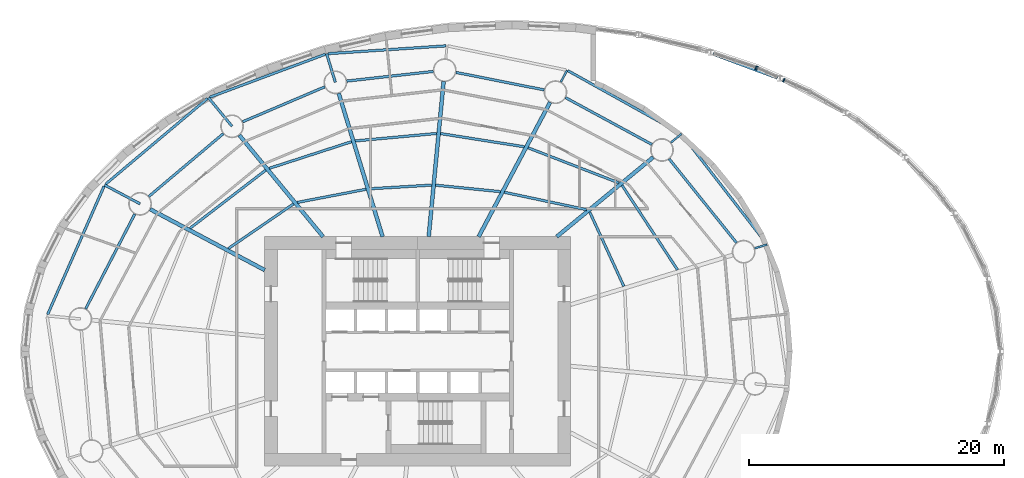
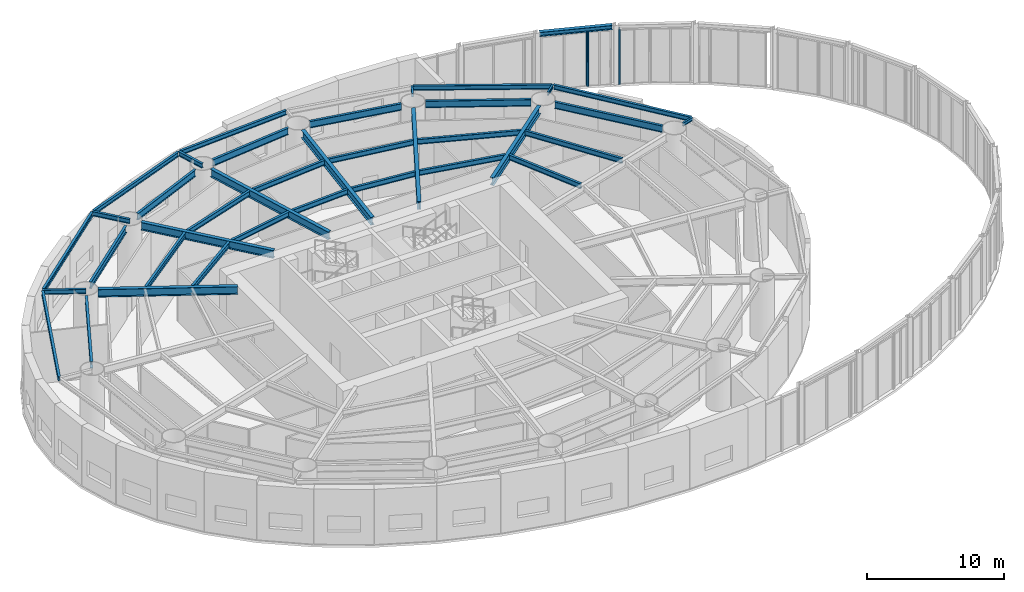
# One storey, part 6 of 19: 38 beams, 3 members, 3 elements without a shape of their own.
"""IFC4 building model written with IfcOpenShell, lengths in metres."""

import ifcopenshell
import ifcopenshell.guid

model = None  # the IFC model being written
_history = None  # IfcOwnerHistory: only IFC2X3 demands one
_inside = {}  # id of a spatial element -> (the spatial element, [elements in it])
_under = {}  # id of a project, library or spatial element -> (it, [spatial elements below it])
_declared = {}  # id of a project -> (the project, [libraries it declares])
_typed = {}  # id of a type object -> (the type object, [elements of that type])
_made_of = {}  # id of a material, layer set ... -> (it, [elements and type objects made of it])


def new_model(schema):
    """Start an empty IFC model of exactly this schema.

    Asked for "IFC4X3", IfcOpenShell would pick the latest addendum, in which some entities
    have other attributes; the version numbers below select the first issue.
    IFC2X3 requires an IfcOwnerHistory on every rooted entity: one is made here for all.
    """
    global model, _history
    if schema == "IFC4X3":
        model = ifcopenshell.file(schema_version=(4, 3, 0, 0))
    else:
        model = ifcopenshell.file(schema=schema)
    _inside.clear()
    _under.clear()
    _declared.clear()
    _typed.clear()
    _made_of.clear()
    _history = None
    if model.schema == "IFC2X3":
        org = make("IfcOrganization", Name="unknown")
        user = make(
            "IfcPersonAndOrganization",
            ThePerson=make("IfcPerson", FamilyName="unknown"),
            TheOrganization=org,
        )
        app = make(
            "IfcApplication",
            ApplicationDeveloper=org,
            Version="unknown",
            ApplicationFullName="unknown",
            ApplicationIdentifier="unknown",
        )
        _history = make(
            "IfcOwnerHistory",
            OwningUser=user,
            OwningApplication=app,
            ChangeAction="ADDED",
            CreationDate=0,
        )
    return model


def make(cls, **values):
    """One entity of the class cls with the attributes given. An attribute that is None is left unset."""
    return model.create_entity(
        cls, **{name: value for name, value in values.items() if value is not None}
    )


def rooted(cls, **values):
    """An entity with a GlobalId (a new one), such as an element, a storey or a relation."""
    return make(cls, GlobalId=ifcopenshell.guid.new(), OwnerHistory=_history, **values)


def si_unit(unit_type, name, prefix=None):
    """IfcSIUnit, for example si_unit("LENGTHUNIT", "METRE", prefix="MILLI")."""
    return make("IfcSIUnit", UnitType=unit_type, Prefix=prefix, Name=name)


def assignment(units):
    """IfcUnitAssignment: the units of a project."""
    return None if units is None else make("IfcUnitAssignment", Units=units)


def point(xyz):
    """IfcCartesianPoint."""
    return None if xyz is None else make("IfcCartesianPoint", Coordinates=xyz)


def direction(xyz):
    """IfcDirection."""
    return None if xyz is None else make("IfcDirection", DirectionRatios=xyz)


def frame(location, z_axis=None, x_axis=None):
    """IfcAxis2Placement3D, a coordinate frame: its origin and axes. An axis left out is left unset."""
    return make(
        "IfcAxis2Placement3D",
        Location=point(location),
        Axis=direction(z_axis),
        RefDirection=direction(x_axis),
    )


def frame_2d(location, x_axis=None):
    """IfcAxis2Placement2D, a coordinate frame in the plane: its origin and x axis."""
    return make(
        "IfcAxis2Placement2D", Location=point(location), RefDirection=direction(x_axis)
    )


def origin():
    """The frame at (0, 0, 0) with its axes left unset."""
    return frame((0.0, 0.0, 0.0))


def origin_2d():
    """The frame at (0, 0) in the plane with its x axis left unset."""
    return frame_2d((0.0, 0.0))


def place(relative_to, where):
    """IfcLocalPlacement: puts the frame where relative to a parent placement (None: the world)."""
    return make(
        "IfcLocalPlacement", PlacementRelTo=relative_to, RelativePlacement=where
    )


def context(
    kind, dimensions, precision=None, world=None, true_north=None, identifier=None
):
    """IfcGeometricRepresentationContext, for example the 3D "Model" context."""
    return make(
        "IfcGeometricRepresentationContext",
        ContextIdentifier=identifier,
        ContextType=kind,
        CoordinateSpaceDimension=dimensions,
        Precision=precision,
        WorldCoordinateSystem=world,
        TrueNorth=true_north,
    )


def subcontext(parent, identifier, kind, view, scale=None):
    """IfcGeometricRepresentationSubContext, for example "Body" below "Model"."""
    return make(
        "IfcGeometricRepresentationSubContext",
        ContextIdentifier=identifier,
        ContextType=kind,
        ParentContext=parent,
        TargetScale=scale,
        TargetView=view,
    )


def project(units=None, contexts=None):
    """IfcProject with its units and contexts."""
    return rooted(
        "IfcProject",
        Name="project",
        RepresentationContexts=contexts,
        UnitsInContext=assignment(units),
    )


def spatial(cls, under=None, at=None, **own):
    """A site, building, storey or space (cls), placed at a placement, below another one or the project."""
    s = rooted(cls, ObjectPlacement=at, **own)
    if under is not None:
        _under.setdefault(under.id(), (under, []))[1].append(s)
    return s


def profile(cls, at=None, kind="AREA", **sizes):
    """A parametric profile (cls). Its sizes go by their IFC names, for example OverallWidth=200.0."""
    return make(cls, ProfileType=kind, Position=at, **sizes)


def rectangle(**sizes):
    """IfcRectangleProfileDef."""
    return profile("IfcRectangleProfileDef", **sizes)


def i_section(**sizes):
    """IfcIShapeProfileDef."""
    return profile("IfcIShapeProfileDef", **sizes)


def extrude(swept, where, along, depth):
    """IfcExtrudedAreaSolid: the profile swept, set in the frame where, extruded along a direction by depth."""
    return make(
        "IfcExtrudedAreaSolid",
        SweptArea=swept,
        Position=where,
        ExtrudedDirection=direction(along),
        Depth=depth,
    )


def shape(context_of_items, identifier, shape_type, items):
    """IfcShapeRepresentation: the items that make up one representation, for example the "Body"."""
    return make(
        "IfcShapeRepresentation",
        ContextOfItems=context_of_items,
        RepresentationIdentifier=identifier,
        RepresentationType=shape_type,
        Items=items,
    )


def material(Name=None, Category=None):
    """IfcMaterial."""
    return make("IfcMaterial", Name=Name, Category=Category)


def material_profile(
    of_material, cross_section, Name=None, Category=None, Priority=None
):
    """IfcMaterialProfile: a cross section and its material."""
    return make(
        "IfcMaterialProfile",
        Name=Name,
        Material=of_material,
        Profile=cross_section,
        Priority=Priority,
        Category=Category,
    )


def profile_set(profiles, Name=None, composite=None):
    """IfcMaterialProfileSet."""
    return make(
        "IfcMaterialProfileSet",
        Name=Name,
        MaterialProfiles=profiles,
        CompositeProfile=composite,
    )


def made_of(thing, what):
    """Note that an element or type object is made of a material, layer set ...; save() writes the relation."""
    if what is not None:
        _made_of.setdefault(what.id(), (what, []))[1].append(thing)
    return thing


def type_object(cls, material=None, **own):
    """A type object (cls), such as IfcWallType, which elements share."""
    return made_of(rooted(cls, **own), material)


def element(
    cls,
    number,
    at=None,
    inside=None,
    cuts=None,
    type_object=None,
    material=None,
    context=None,
    identifier="Body",
    shape_type=None,
    held_by="IfcProductDefinitionShape",
    body=None,
    shapes=None,
    **own,
):
    """One element of the class cls, such as IfcWall. Its Tag is "e" and its number.

    at: its placement. inside: the storey or other place that contains it. cuts: it is an
    opening in that element (IfcRelVoidsElement). A single representation is given by context,
    identifier, shape_type and body (its items); several are given by shapes. held_by: the class
    of the entity that holds the representations. save() writes the other relations.
    """
    e = rooted(cls, Tag="e%d" % number, ObjectPlacement=at, **own)
    if body is not None:
        shapes = [shape(context, identifier, shape_type, body)]
    if shapes is not None:
        e.Representation = make(held_by, Representations=shapes)
    if inside is not None:
        _inside.setdefault(inside.id(), (inside, []))[1].append(e)
    if cuts is not None:
        rooted(
            "IfcRelVoidsElement", RelatingBuildingElement=cuts, RelatedOpeningElement=e
        )
    if type_object is not None:
        _typed.setdefault(type_object.id(), (type_object, []))[1].append(e)
    return made_of(e, material)


def aggregate(whole, parts):
    """IfcRelAggregates: a whole, such as a stair, and the parts it consists of."""
    return rooted("IfcRelAggregates", RelatingObject=whole, RelatedObjects=parts)


def save(model, path):
    """Write the relations noted so far, then the file.

    IfcRelAggregates (storeys below a building ...), IfcRelContainedInSpatialStructure (elements
    in a storey), IfcRelDefinesByType, IfcRelAssociatesMaterial and IfcRelDeclares: one each for
    every whole, place, type object, material and project.
    """
    for whole, parts in _under.values():
        aggregate(whole, parts)
    for where, things in _inside.values():
        rooted(
            "IfcRelContainedInSpatialStructure",
            RelatedElements=things,
            RelatingStructure=where,
        )
    for kind, things in _typed.values():
        rooted("IfcRelDefinesByType", RelatedObjects=things, RelatingType=kind)
    for what, things in _made_of.values():
        rooted("IfcRelAssociatesMaterial", RelatedObjects=things, RelatingMaterial=what)
    for by, libraries in _declared.values():
        rooted("IfcRelDeclares", RelatingContext=by, RelatedDefinitions=libraries)
    model.write(path)


model = new_model("IFC4")

# Units and contexts
model_context = context("Model", 3, precision=1e-05, world=origin(), true_north=direction((0.0, 1.0)))
body_context = subcontext(model_context, "Body", "Model", "MODEL_VIEW")
ifc_project = project(units=[si_unit("LENGTHUNIT", "METRE"), si_unit("AREAUNIT", "SQUARE_METRE"), si_unit("VOLUMEUNIT", "CUBIC_METRE"), si_unit("PLANEANGLEUNIT", "RADIAN"), si_unit("MASSUNIT", "GRAM", prefix="KILO")], contexts=[model_context])

# Site, building, storey
site_placement = place(None, origin())
site = spatial("IfcSite", under=ifc_project, at=site_placement, CompositionType="ELEMENT")
building_placement = place(site_placement, origin())
building = spatial("IfcBuilding", under=site, at=building_placement, Name="Vermilion Reach Broadcast Tower", CompositionType="ELEMENT")
storey_placement = place(building_placement, frame((0.0, 0.0, 26.0)))
storey = spatial("IfcBuildingStorey", under=building, at=storey_placement, Name="L03", CompositionType="ELEMENT", Elevation=26.0)

# Curtain wall, member
ifc_material_1 = material(Name="Low-e laminated clear glass in aluminium frame", Category="aluminium")
curtain_wall_type = type_object("IfcCurtainWallType", Name="Atrium outer wall curtain wall", PredefinedType="NOTDEFINED", material=ifc_material_1)
placement = place(storey_placement, origin())
curtain_wall_1 = element("IfcCurtainWall", 1, at=placement, inside=storey, type_object=curtain_wall_type, Name="Atrium wall L03 19-1", PredefinedType="NOTDEFINED")
ifc_material_2 = material(Name="Anodised aluminium", Category="aluminium")
ifc_material_profile_1 = material_profile(ifc_material_2, rectangle(XDim=0.300048828125, YDim=0.10009765625, at=origin_2d()), Name="Atrium outer wall mullion 100 x 300")
ifc_profile_set_1 = profile_set([ifc_material_profile_1], Name="Anodised aluminium")
member_type = type_object("IfcMemberType", Name="Atrium outer wall mullion 100 x 300", PredefinedType="MULLION", material=ifc_profile_set_1)
member_1_placement = place(storey_placement, frame((22.726806640625, 21.276123046875, 0.0), z_axis=(0.0, 0.0, 1.0), x_axis=(-0.410407876277, -0.911902064418, 0.0)))
member_1 = element("IfcMember", 2, at=member_1_placement, type_object=member_type, Name="Atrium wall mullion L03 19-1.3", PredefinedType="MULLION", context=body_context, shape_type="SweptSolid", body=[
    extrude(rectangle(XDim=0.300048828125, YDim=0.10009765625, at=origin_2d()), origin(), (0.0, 0.0, 1.0), 4.909912109375),
])
aggregate(curtain_wall_1, [member_1])

curtain_wall_2 = element("IfcCurtainWall", 3, at=placement, inside=storey, type_object=curtain_wall_type, Name="Atrium wall L03 19-2", PredefinedType="NOTDEFINED")
member_2_placement = place(storey_placement, frame((20.636962890625, 22.216552734375, 0.0), z_axis=(0.0, 0.0, 1.0), x_axis=(-0.410407876277, -0.911902064418, 0.0)))
member_2 = element("IfcMember", 4, at=member_2_placement, type_object=member_type, Name="Atrium wall mullion L03 19-2.3", PredefinedType="MULLION", context=body_context, shape_type="SweptSolid", body=[
    extrude(rectangle(XDim=0.300048828125, YDim=0.10009765625, at=origin_2d()), origin(), (0.0, 0.0, 1.0), 4.909912109375),
])
aggregate(curtain_wall_2, [member_2])

curtain_wall_3 = element("IfcCurtainWall", 5, at=placement, inside=storey, type_object=curtain_wall_type, Name="Atrium wall L03 20-1", PredefinedType="NOTDEFINED")
member_3_placement = place(storey_placement, frame((20.5439453125, 22.2529296875, 0.0), z_axis=(0.0, 0.0, 1.0), x_axis=(-0.315228098746, -0.949015935462, 0.0)))
member_3 = element("IfcMember", 6, at=member_3_placement, type_object=member_type, Name="Atrium wall mullion L03 20-1.1", PredefinedType="MULLION", context=body_context, shape_type="SweptSolid", body=[
    extrude(rectangle(XDim=0.300048828125, YDim=0.10009765625, at=origin_2d()), origin(), (0.0, 0.0, 1.0), 4.909912109375),
])
aggregate(curtain_wall_3, [member_3])

# Beams
ifc_material_3 = material(Name="Steel S355J2", Category="steel")
ifc_material_profile_2 = material_profile(ifc_material_3, i_section(OverallWidth=0.199951171875, OverallDepth=0.39990234375, WebThickness=0.008056640625, FlangeThickness=0.012939453125, at=origin_2d()), Name="S355J2 HN 400x200x8x13")
ifc_profile_set_2 = profile_set([ifc_material_profile_2], Name="Steel S355J2")
beam_type_1 = type_object("IfcBeamType", Name="EB1 HN 400x200x8x13", PredefinedType="BEAM", material=ifc_profile_set_2)
beam_1_placement = place(storey_placement, frame((21.365234375, 8.449951171875, 5.10009765625), z_axis=(-0.612374307057, 0.790567965488, 0.0), x_axis=(-0.790567965488, -0.612374307057, 0.0)))
element("IfcBeam", 7, at=beam_1_placement, inside=storey, type_object=beam_type_1, Name="Edge beam EB1-01", PredefinedType="BEAM", context=body_context, shape_type="SweptSolid", body=[
    extrude(i_section(OverallWidth=0.199951171875, OverallDepth=0.39990234375, WebThickness=0.008056640625, FlangeThickness=0.012939453125, at=origin_2d()), origin(), (0.0, 0.0, 1.0), 10.821044921875),
])
beam_2_placement = place(storey_placement, frame((14.62255859375, 17.10302734375, 5.10009765625), z_axis=(-0.873686455295, 0.486489442674, 0.0), x_axis=(-0.486489442674, -0.873686455295, 0.0)))
element("IfcBeam", 8, at=beam_2_placement, inside=storey, type_object=beam_type_1, Name="Edge beam EB1-02", PredefinedType="BEAM", context=body_context, shape_type="SweptSolid", body=[
    extrude(i_section(OverallWidth=0.199951171875, OverallDepth=0.39990234375, WebThickness=0.008056640625, FlangeThickness=0.012939453125, at=origin_2d()), origin(), (0.0, 0.0, 1.0), 10.110595703125),
])
beam_3_placement = place(storey_placement, frame((-3.771484375, 23.97119140625, 5.10009765625), z_axis=(-0.997825669163, -0.065908527213, 0.0), x_axis=(0.065908527213, -0.997825669163, 0.0)))
element("IfcBeam", 9, at=beam_3_placement, inside=storey, type_object=beam_type_1, Name="Edge beam EB1-04", PredefinedType="BEAM", context=body_context, shape_type="SweptSolid", body=[
    extrude(i_section(OverallWidth=0.199951171875, OverallDepth=0.39990234375, WebThickness=0.008056640625, FlangeThickness=0.012939453125, at=origin_2d()), origin(), (0.0, 0.0, 1.0), 9.290283203125),
])
beam_4_placement = place(storey_placement, frame((-13.23779296875, 23.3173828125, 5.10009765625), z_axis=(-0.9372716621, -0.348599815582, 0.0), x_axis=(0.348599815582, -0.9372716621, 0.0)))
element("IfcBeam", 10, at=beam_4_placement, inside=storey, type_object=beam_type_1, Name="Edge beam EB1-05", PredefinedType="BEAM", context=body_context, shape_type="SweptSolid", body=[
    extrude(i_section(OverallWidth=0.199951171875, OverallDepth=0.39990234375, WebThickness=0.008056640625, FlangeThickness=0.012939453125, at=origin_2d()), origin(), (0.0, 0.0, 1.0), 9.684326171875),
])
beam_5_placement = place(storey_placement, frame((-22.490478515625, 19.840087890625, 5.10009765625), z_axis=(-0.765453208317, -0.643491558513, 0.0), x_axis=(0.643491558513, -0.765453208317, 0.0)))
element("IfcBeam", 11, at=beam_5_placement, inside=storey, type_object=beam_type_1, Name="Edge beam EB1-06", PredefinedType="BEAM", context=body_context, shape_type="SweptSolid", body=[
    extrude(i_section(OverallWidth=0.199951171875, OverallDepth=0.39990234375, WebThickness=0.008056640625, FlangeThickness=0.012939453125, at=origin_2d()), origin(), (0.0, 0.0, 1.0), 10.437255859375),
])
beam_6_placement = place(storey_placement, frame((-30.6025390625, 12.962646484375, 5.10009765625), z_axis=(-0.402751254677, -0.915309470538, 0.0), x_axis=(0.915309470538, -0.402751254677, 0.0)))
element("IfcBeam", 12, at=beam_6_placement, inside=storey, type_object=beam_type_1, Name="Edge beam EB1-07", PredefinedType="BEAM", context=body_context, shape_type="SweptSolid", body=[
    extrude(i_section(OverallWidth=0.199951171875, OverallDepth=0.39990234375, WebThickness=0.008056640625, FlangeThickness=0.012939453125, at=origin_2d()), origin(), (0.0, 0.0, 1.0), 11.00341796875),
])
ifc_material_4 = material(Name="Steel S355J2", Category="steel")
ifc_material_profile_3 = material_profile(ifc_material_4, i_section(OverallWidth=0.300048828125, OverallDepth=0.699951171875, WebThickness=0.012939453125, FlangeThickness=0.02392578125, at=origin_2d()), Name="S355J2 HN 700x300x13x24")
ifc_profile_set_3 = profile_set([ifc_material_profile_3], Name="Steel S355J2")
beam_type_2 = type_object("IfcBeamType", Name="G1 HN 700x300x13x24", PredefinedType="BEAM", material=ifc_profile_set_3)
beam_7_placement = place(storey_placement, frame((4.9140625, 9.0, 4.949951171875), z_axis=(0.771514256373, 0.636212034005, 0.0), x_axis=(-0.636212034005, 0.771514256373, 0.0)))
element("IfcBeam", 13, at=beam_7_placement, inside=storey, type_object=beam_type_2, Name="Girder G1-02", PredefinedType="BEAM", context=body_context, shape_type="SweptSolid", body=[
    extrude(i_section(OverallWidth=0.300048828125, OverallDepth=0.699951171875, WebThickness=0.012939453125, FlangeThickness=0.02392578125, at=origin_2d()), origin(), (0.0, 0.0, 1.0), 9.796142578125),
])
beam_8_placement = place(storey_placement, frame((-1.216552734375, 9.0, 4.949951171875), z_axis=(0.469312182262, 0.883032318537, 0.0), x_axis=(-0.883032318537, 0.469312182262, 0.0)))
element("IfcBeam", 14, at=beam_8_placement, inside=storey, type_object=beam_type_2, Name="Girder G1-03", PredefinedType="BEAM", context=body_context, shape_type="SweptSolid", body=[
    extrude(i_section(OverallWidth=0.300048828125, OverallDepth=0.699951171875, WebThickness=0.012939453125, FlangeThickness=0.02392578125, at=origin_2d()), origin(), (0.0, 0.0, 1.0), 11.94091796875),
])
beam_9_placement = place(storey_placement, frame((-5.135009765625, 9.0, 4.949951171875), z_axis=(0.09566673912, 0.995413419151, 0.0), x_axis=(-0.995413419151, 0.09566673912, 0.0)))
element("IfcBeam", 15, at=beam_9_placement, inside=storey, type_object=beam_type_2, Name="Girder G1-04", PredefinedType="BEAM", context=body_context, shape_type="SweptSolid", body=[
    extrude(i_section(OverallWidth=0.300048828125, OverallDepth=0.699951171875, WebThickness=0.012939453125, FlangeThickness=0.02392578125, at=origin_2d()), origin(), (0.0, 0.0, 1.0), 12.22412109375),
])
beam_10_placement = place(storey_placement, frame((-8.753173828125, 9.0, 4.949951171875), z_axis=(-0.292542302886, 0.95625258223, 0.0), x_axis=(-0.95625258223, -0.292542302886, 0.0)))
element("IfcBeam", 16, at=beam_10_placement, inside=storey, type_object=beam_type_2, Name="Girder G1-05", PredefinedType="BEAM", context=body_context, shape_type="SweptSolid", body=[
    extrude(i_section(OverallWidth=0.300048828125, OverallDepth=0.699951171875, WebThickness=0.012939453125, FlangeThickness=0.02392578125, at=origin_2d()), origin(), (0.0, 0.0, 1.0), 11.76220703125),
])
beam_11_placement = place(storey_placement, frame((-13.421630859375, 9.0, 4.949951171875), z_axis=(-0.636215165107, 0.77151167437, 0.0), x_axis=(-0.77151167437, -0.636215165107, 0.0)))
element("IfcBeam", 17, at=beam_11_placement, inside=storey, type_object=beam_type_2, Name="Girder G1-06", PredefinedType="BEAM", context=body_context, shape_type="SweptSolid", body=[
    extrude(i_section(OverallWidth=0.300048828125, OverallDepth=0.699951171875, WebThickness=0.012939453125, FlangeThickness=0.02392578125, at=origin_2d()), origin(), (0.0, 0.0, 1.0), 10.3251953125),
])
beam_12_placement = place(storey_placement, frame((-18.0, 6.3779296875, 4.949951171875), z_axis=(-0.883032139419, 0.469312519279, 0.0), x_axis=(-0.469312519279, -0.883032139419, 0.0)))
element("IfcBeam", 18, at=beam_12_placement, inside=storey, type_object=beam_type_2, Name="Girder G1-07", PredefinedType="BEAM", context=body_context, shape_type="SweptSolid", body=[
    extrude(i_section(OverallWidth=0.300048828125, OverallDepth=0.699951171875, WebThickness=0.012939453125, FlangeThickness=0.02392578125, at=origin_2d()), origin(), (0.0, 0.0, 1.0), 10.17529296875),
])
ifc_material_5 = material(Name="Steel S355J2", Category="steel")
ifc_material_profile_4 = material_profile(ifc_material_5, i_section(OverallWidth=0.199951171875, OverallDepth=0.39990234375, WebThickness=0.008056640625, FlangeThickness=0.012939453125, at=origin_2d()), Name="S355J2 HN 400x200x8x13")
ifc_profile_set_4 = profile_set([ifc_material_profile_4], Name="Steel S355J2")
beam_type_3 = type_object("IfcBeamType", Name="GC1 HN 400x200x8x13", PredefinedType="BEAM", material=ifc_profile_set_4)
beam_13_placement = place(storey_placement, frame((-12.45751953125, 21.108154296875, 5.10009765625), z_axis=(-0.292535678809, 0.956254608681, 0.0), x_axis=(-0.956254608681, -0.292535678809, 0.0)))
element("IfcBeam", 19, at=beam_13_placement, inside=storey, type_object=beam_type_3, Name="Cantilever girder GC1-05", PredefinedType="BEAM", context=body_context, shape_type="SweptSolid", body=[
    extrude(i_section(OverallWidth=0.199951171875, OverallDepth=0.39990234375, WebThickness=0.008056640625, FlangeThickness=0.012939453125, at=origin_2d()), origin(), (0.0, 0.0, 1.0), 2.346923828125),
])
beam_14_placement = place(storey_placement, frame((-20.563232421875, 17.660400390625, 5.10009765625), z_axis=(-0.636213137876, 0.771513346089, 0.0), x_axis=(-0.771513346089, -0.636213137876, 0.0)))
element("IfcBeam", 20, at=beam_14_placement, inside=storey, type_object=beam_type_3, Name="Cantilever girder GC1-06", PredefinedType="BEAM", context=body_context, shape_type="SweptSolid", body=[
    extrude(i_section(OverallWidth=0.199951171875, OverallDepth=0.39990234375, WebThickness=0.008056640625, FlangeThickness=0.012939453125, at=origin_2d()), origin(), (0.0, 0.0, 1.0), 2.90869140625),
])
beam_15_placement = place(storey_placement, frame((-27.77978515625, 11.57568359375, 5.10009765625), z_axis=(-0.8830404704, 0.469296843837, 0.0), x_axis=(-0.469296843837, -0.8830404704, 0.0)))
element("IfcBeam", 21, at=beam_15_placement, inside=storey, type_object=beam_type_3, Name="Cantilever girder GC1-07", PredefinedType="BEAM", context=body_context, shape_type="SweptSolid", body=[
    extrude(i_section(OverallWidth=0.199951171875, OverallDepth=0.39990234375, WebThickness=0.008056640625, FlangeThickness=0.012939453125, at=origin_2d()), origin(), (0.0, 0.0, 1.0), 3.151123046875),
])
ifc_material_6 = material(Name="Steel S355J2", Category="steel")
ifc_material_profile_5 = material_profile(ifc_material_6, i_section(OverallWidth=0.14990234375, OverallDepth=0.300048828125, WebThickness=0.006591796875, FlangeThickness=0.009033203125, at=origin_2d()), Name="S355J2 HN 300x150x6.5x9")
ifc_profile_set_5 = profile_set([ifc_material_profile_5], Name="Steel S355J2")
beam_type_4 = type_object("IfcBeamType", Name="GS1 HN 300x150x6.5x9", PredefinedType="BEAM", material=ifc_profile_set_5)
beam_16_placement = place(storey_placement, frame((20.43603515625, 8.08740234375, 5.14990234375), z_axis=(0.956262624381, 0.292509475422, 0.0), x_axis=(-0.292509475422, 0.956262624381, 0.0)))
element("IfcBeam", 22, at=beam_16_placement, inside=storey, type_object=beam_type_4, Name="Cantilever stub GS1-01", PredefinedType="BEAM", context=body_context, shape_type="SweptSolid", body=[
    extrude(i_section(OverallWidth=0.14990234375, OverallDepth=0.300048828125, WebThickness=0.006591796875, FlangeThickness=0.009033203125, at=origin_2d()), origin(), (0.0, 0.0, 1.0), 1.023193359375),
])
beam_17_placement = place(storey_placement, frame((13.860595703125, 16.377685546875, 5.14990234375), z_axis=(0.771531570629, 0.636191036972, 0.0), x_axis=(-0.636191036972, 0.771531570629, 0.0)))
element("IfcBeam", 23, at=beam_17_placement, inside=storey, type_object=beam_type_4, Name="Cantilever stub GS1-02", PredefinedType="BEAM", context=body_context, shape_type="SweptSolid", body=[
    extrude(i_section(OverallWidth=0.14990234375, OverallDepth=0.300048828125, WebThickness=0.006591796875, FlangeThickness=0.009033203125, at=origin_2d()), origin(), (0.0, 0.0, 1.0), 1.07861328125),
])
beam_18_placement = place(storey_placement, frame((5.232177734375, 21.1337890625, 5.14990234375), z_axis=(0.469462125124, 0.882952610888, 0.0), x_axis=(-0.882952610888, 0.469462125124, 0.0)))
element("IfcBeam", 24, at=beam_18_placement, inside=storey, type_object=beam_type_4, Name="Cantilever stub GS1-03", PredefinedType="BEAM", context=body_context, shape_type="SweptSolid", body=[
    extrude(i_section(OverallWidth=0.14990234375, OverallDepth=0.300048828125, WebThickness=0.006591796875, FlangeThickness=0.009033203125, at=origin_2d()), origin(), (0.0, 0.0, 1.0), 1.046875),
])
ifc_material_7 = material(Name="Steel S355J2", Category="steel")
ifc_material_profile_6 = material_profile(ifc_material_7, i_section(OverallWidth=0.199951171875, OverallDepth=0.60009765625, WebThickness=0.010986328125, FlangeThickness=0.01708984375, at=origin_2d()), Name="S355J2 HN 600x200x11x17")
ifc_profile_set_6 = profile_set([ifc_material_profile_6], Name="Steel S355J2")
beam_type_5 = type_object("IfcBeamType", Name="RB1 HN 600x200x11x17", PredefinedType="BEAM", material=ifc_profile_set_6)
beam_19_placement = place(storey_placement, frame((19.011962890625, 8.52587890625, 5.0), z_axis=(-0.626162157191, 0.779692858055, 0.0), x_axis=(-0.779692858055, -0.626162157191, 0.0)))
element("IfcBeam", 25, at=beam_19_placement, inside=storey, type_object=beam_type_5, Name="Ring beam RB1-01", PredefinedType="BEAM", context=body_context, shape_type="SweptSolid", body=[
    extrude(i_section(OverallWidth=0.199951171875, OverallDepth=0.60009765625, WebThickness=0.010986328125, FlangeThickness=0.01708984375, at=origin_2d()), origin(), (0.0, 0.0, 1.0), 8.435791015625),
])
beam_20_placement = place(storey_placement, frame((12.375244140625, 16.234130859375, 5.0), z_axis=(-0.878962319551, 0.476891225344, 0.0), x_axis=(-0.476891225344, -0.878962319551, 0.0)))
element("IfcBeam", 26, at=beam_20_placement, inside=storey, type_object=beam_type_5, Name="Ring beam RB1-02", PredefinedType="BEAM", context=body_context, shape_type="SweptSolid", body=[
    extrude(i_section(OverallWidth=0.199951171875, OverallDepth=0.60009765625, WebThickness=0.010986328125, FlangeThickness=0.01708984375, at=origin_2d()), origin(), (0.0, 0.0, 1.0), 7.707275390625),
])
beam_21_placement = place(storey_placement, frame((3.927001953125, 20.51416015625, 5.0), z_axis=(-0.980857717995, 0.194725799651, 0.0), x_axis=(-0.194725799651, -0.980857717995, 0.0)))
element("IfcBeam", 27, at=beam_21_placement, inside=storey, type_object=beam_type_5, Name="Ring beam RB1-03", PredefinedType="BEAM", context=body_context, shape_type="SweptSolid", body=[
    extrude(i_section(OverallWidth=0.199951171875, OverallDepth=0.60009765625, WebThickness=0.010986328125, FlangeThickness=0.01708984375, at=origin_2d()), origin(), (0.0, 0.0, 1.0), 7.05859375),
])
beam_22_placement = place(storey_placement, frame((-4.77392578125, 21.964111328125, 5.0), z_axis=(-0.993851439324, -0.110721798009, 0.0), x_axis=(0.110721798009, -0.993851439324, 0.0)))
element("IfcBeam", 28, at=beam_22_placement, inside=storey, type_object=beam_type_5, Name="Ring beam RB1-04", PredefinedType="BEAM", context=body_context, shape_type="SweptSolid", body=[
    extrude(i_section(OverallWidth=0.199951171875, OverallDepth=0.60009765625, WebThickness=0.010986328125, FlangeThickness=0.01708984375, at=origin_2d()), origin(), (0.0, 0.0, 1.0), 6.8310546875),
])
beam_23_placement = place(storey_placement, frame((-13.28564453125, 20.755859375, 5.0), z_axis=(-0.920220846584, -0.391399531825, 0.0), x_axis=(0.391399531825, -0.920220846584, 0.0)))
element("IfcBeam", 29, at=beam_23_placement, inside=storey, type_object=beam_type_5, Name="Ring beam RB1-05", PredefinedType="BEAM", context=body_context, shape_type="SweptSolid", body=[
    extrude(i_section(OverallWidth=0.199951171875, OverallDepth=0.60009765625, WebThickness=0.010986328125, FlangeThickness=0.01708984375, at=origin_2d()), origin(), (0.0, 0.0, 1.0), 7.008544921875),
])
beam_24_placement = place(storey_placement, frame((-21.251220703125, 17.080322265625, 5.0), z_axis=(-0.764512441084, -0.6446089725, 0.0), x_axis=(0.6446089725, -0.764512441084, 0.0)))
element("IfcBeam", 30, at=beam_24_placement, inside=storey, type_object=beam_type_5, Name="Ring beam RB1-06", PredefinedType="BEAM", context=body_context, shape_type="SweptSolid", body=[
    extrude(i_section(OverallWidth=0.199951171875, OverallDepth=0.60009765625, WebThickness=0.010986328125, FlangeThickness=0.01708984375, at=origin_2d()), origin(), (0.0, 0.0, 1.0), 7.6396484375),
])
beam_25_placement = place(storey_placement, frame((-28.194091796875, 10.776611328125, 5.0), z_axis=(-0.460411617218, -0.887705549566, 0.0), x_axis=(0.887705549566, -0.460411617218, 0.0)))
element("IfcBeam", 31, at=beam_25_placement, inside=storey, type_object=beam_type_5, Name="Ring beam RB1-07", PredefinedType="BEAM", context=body_context, shape_type="SweptSolid", body=[
    extrude(i_section(OverallWidth=0.199951171875, OverallDepth=0.60009765625, WebThickness=0.010986328125, FlangeThickness=0.01708984375, at=origin_2d()), origin(), (0.0, 0.0, 1.0), 8.37451171875),
])
ifc_material_8 = material(Name="Steel S355J2", Category="steel")
ifc_material_profile_7 = material_profile(ifc_material_8, i_section(OverallWidth=0.300048828125, OverallDepth=0.389892578125, WebThickness=0.010009765625, FlangeThickness=0.01611328125, at=origin_2d()), Name="S355J2 HM 390x300x10x16")
ifc_profile_set_7 = profile_set([ifc_material_profile_7], Name="Steel S355J2")
beam_type_6 = type_object("IfcBeamType", Name="RM1 HM 390x300x10x16", PredefinedType="BEAM", material=ifc_profile_set_7)
beam_26_placement = place(storey_placement, frame((22.22509765625, 21.485595703125, 5.10498046875), z_axis=(-0.937250522131, 0.348656648818, 0.0), x_axis=(-0.348656648818, -0.937250522131, 0.0)))
element("IfcBeam", 32, at=beam_26_placement, inside=storey, type_object=beam_type_6, Name="Rim beam AP13-AP14", PredefinedType="BEAM", context=body_context, shape_type="SweptSolid", body=[
    extrude(i_section(OverallWidth=0.300048828125, OverallDepth=0.389892578125, WebThickness=0.010009765625, FlangeThickness=0.01611328125, at=origin_2d()), origin(), (0.0, 0.0, 1.0), 5.37158203125),
])
ifc_material_9 = material(Name="Steel S355J2", Category="steel")
ifc_material_profile_8 = material_profile(ifc_material_9, i_section(OverallWidth=0.199951171875, OverallDepth=0.449951171875, WebThickness=0.009033203125, FlangeThickness=0.013916015625, at=origin_2d()), Name="S355J2 HN 450x200x9x14")
ifc_profile_set_8 = profile_set([ifc_material_profile_8], Name="Steel S355J2")
beam_type_7 = type_object("IfcBeamType", Name="SB1 HN 450x200x9x14", PredefinedType="BEAM", material=ifc_profile_set_8)
beam_27_placement = place(storey_placement, frame((10.175048828125, 5.105224609375, 5.074951171875), z_axis=(-0.417211452529, 0.908809443106, 0.0), x_axis=(-0.908809443106, -0.417211452529, 0.0)))
element("IfcBeam", 33, at=beam_27_placement, inside=storey, type_object=beam_type_7, Name="Secondary beam SB1-01-1", PredefinedType="BEAM", context=body_context, shape_type="SweptSolid", body=[
    extrude(i_section(OverallWidth=0.199951171875, OverallDepth=0.449951171875, WebThickness=0.009033203125, FlangeThickness=0.013916015625, at=origin_2d()), origin(), (0.0, 0.0, 1.0), 6.41650390625),
])
beam_28_placement = place(storey_placement, frame((14.390625, 6.394775390625, 5.074951171875), z_axis=(-0.548800909102, 0.835953086105, 0.0), x_axis=(-0.835953086105, -0.548800909102, 0.0)))
element("IfcBeam", 34, at=beam_28_placement, inside=storey, type_object=beam_type_7, Name="Secondary beam SB1-01-2", PredefinedType="BEAM", context=body_context, shape_type="SweptSolid", body=[
    extrude(i_section(OverallWidth=0.199951171875, OverallDepth=0.449951171875, WebThickness=0.009033203125, FlangeThickness=0.013916015625, at=origin_2d()), origin(), (0.0, 0.0, 1.0), 7.935791015625),
])
beam_29_placement = place(storey_placement, frame((7.24560546875, 11.1171875, 5.074951171875), z_axis=(-0.978270372412, 0.207333254596, 0.0), x_axis=(-0.207333254596, -0.978270372412, 0.0)))
element("IfcBeam", 35, at=beam_29_placement, inside=storey, type_object=beam_type_7, Name="Secondary beam SB1-02-1", PredefinedType="BEAM", context=body_context, shape_type="SweptSolid", body=[
    extrude(i_section(OverallWidth=0.199951171875, OverallDepth=0.449951171875, WebThickness=0.009033203125, FlangeThickness=0.013916015625, at=origin_2d()), origin(), (0.0, 0.0, 1.0), 6.584716796875),
])
beam_30_placement = place(storey_placement, frame((9.7919921875, 13.217041015625, 5.074951171875), z_axis=(-0.932680743753, 0.360702966765, 0.0), x_axis=(-0.360702966765, -0.932680743753, 0.0)))
element("IfcBeam", 36, at=beam_30_placement, inside=storey, type_object=beam_type_7, Name="Secondary beam SB1-02-2", PredefinedType="BEAM", context=body_context, shape_type="SweptSolid", body=[
    extrude(i_section(OverallWidth=0.199951171875, OverallDepth=0.449951171875, WebThickness=0.009033203125, FlangeThickness=0.013916015625, at=origin_2d()), origin(), (0.0, 0.0, 1.0), 7.646240234375),
])
beam_31_placement = place(storey_placement, frame((0.490234375, 12.531005859375, 5.074951171875), z_axis=(-0.995010199331, 0.099773259079, 0.0), x_axis=(-0.099773259079, -0.995010199331, 0.0)))
element("IfcBeam", 37, at=beam_31_placement, inside=storey, type_object=beam_type_7, Name="Secondary beam SB1-03-1", PredefinedType="BEAM", context=body_context, shape_type="SweptSolid", body=[
    extrude(i_section(OverallWidth=0.199951171875, OverallDepth=0.449951171875, WebThickness=0.009033203125, FlangeThickness=0.013916015625, at=origin_2d()), origin(), (0.0, 0.0, 1.0), 5.111572265625),
])
beam_32_placement = place(storey_placement, frame((2.36279296875, 16.05419921875, 5.074951171875), z_axis=(-0.987829548379, 0.155540294938, 0.0), x_axis=(-0.155540294938, -0.987829548379, 0.0)))
element("IfcBeam", 38, at=beam_32_placement, inside=storey, type_object=beam_type_7, Name="Secondary beam SB1-03-2", PredefinedType="BEAM", context=body_context, shape_type="SweptSolid", body=[
    extrude(i_section(OverallWidth=0.199951171875, OverallDepth=0.449951171875, WebThickness=0.009033203125, FlangeThickness=0.013916015625, at=origin_2d()), origin(), (0.0, 0.0, 1.0), 6.650634765625),
])
beam_33_placement = place(storey_placement, frame((-4.896728515625, 13.046875, 5.074951171875), z_axis=(-0.99823410974, -0.059402543307, 0.0), x_axis=(0.059402543307, -0.99823410974, 0.0)))
element("IfcBeam", 39, at=beam_33_placement, inside=storey, type_object=beam_type_7, Name="Secondary beam SB1-04-1", PredefinedType="BEAM", context=body_context, shape_type="SweptSolid", body=[
    extrude(i_section(OverallWidth=0.199951171875, OverallDepth=0.449951171875, WebThickness=0.009033203125, FlangeThickness=0.013916015625, at=origin_2d()), origin(), (0.0, 0.0, 1.0), 4.85791015625),
])
beam_34_placement = place(storey_placement, frame((-4.50732421875, 17.09814453125, 5.074951171875), z_axis=(-0.995818616382, -0.091352521952, 0.0), x_axis=(0.091352521952, -0.995818616382, 0.0)))
element("IfcBeam", 40, at=beam_34_placement, inside=storey, type_object=beam_type_7, Name="Secondary beam SB1-04-2", PredefinedType="BEAM", context=body_context, shape_type="SweptSolid", body=[
    extrude(i_section(OverallWidth=0.199951171875, OverallDepth=0.449951171875, WebThickness=0.009033203125, FlangeThickness=0.013916015625, at=origin_2d()), origin(), (0.0, 0.0, 1.0), 6.4140625),
])
beam_35_placement = place(storey_placement, frame((-10.04833984375, 12.720703125, 5.074951171875), z_axis=(-0.982151348822, -0.188092339045, 0.0), x_axis=(0.188092339045, -0.982151348822, 0.0)))
element("IfcBeam", 41, at=beam_35_placement, inside=storey, type_object=beam_type_7, Name="Secondary beam SB1-05-1", PredefinedType="BEAM", context=body_context, shape_type="SweptSolid", body=[
    extrude(i_section(OverallWidth=0.199951171875, OverallDepth=0.449951171875, WebThickness=0.009033203125, FlangeThickness=0.013916015625, at=origin_2d()), origin(), (0.0, 0.0, 1.0), 5.4931640625),
])
beam_36_placement = place(storey_placement, frame((-11.18994140625, 16.4521484375, 5.074951171875), z_axis=(-0.951332300844, -0.308166924523, 0.0), x_axis=(0.308166924523, -0.951332300844, 0.0)))
element("IfcBeam", 42, at=beam_36_placement, inside=storey, type_object=beam_type_7, Name="Secondary beam SB1-05-2", PredefinedType="BEAM", context=body_context, shape_type="SweptSolid", body=[
    extrude(i_section(OverallWidth=0.199951171875, OverallDepth=0.449951171875, WebThickness=0.009033203125, FlangeThickness=0.013916015625, at=origin_2d()), origin(), (0.0, 0.0, 1.0), 6.787841796875),
])
beam_37_placement = place(storey_placement, frame((-15.735595703125, 11.5703125, 5.074951171875), z_axis=(-0.825140253447, -0.564927926502, 0.0), x_axis=(0.564927926502, -0.825140253447, 0.0)))
element("IfcBeam", 43, at=beam_37_placement, inside=storey, type_object=beam_type_7, Name="Secondary beam SB1-06-1", PredefinedType="BEAM", context=body_context, shape_type="SweptSolid", body=[
    extrude(i_section(OverallWidth=0.199951171875, OverallDepth=0.449951171875, WebThickness=0.009033203125, FlangeThickness=0.013916015625, at=origin_2d()), origin(), (0.0, 0.0, 1.0), 6.20458984375),
])
beam_38_placement = place(storey_placement, frame((-17.920166015625, 14.21923828125, 5.074951171875), z_axis=(-0.793349617473, -0.60876628065, 0.0), x_axis=(0.60876628065, -0.793349617473, 0.0)))
element("IfcBeam", 44, at=beam_38_placement, inside=storey, type_object=beam_type_7, Name="Secondary beam SB1-06-2", PredefinedType="BEAM", context=body_context, shape_type="SweptSolid", body=[
    extrude(i_section(OverallWidth=0.199951171875, OverallDepth=0.449951171875, WebThickness=0.009033203125, FlangeThickness=0.013916015625, at=origin_2d()), origin(), (0.0, 0.0, 1.0), 7.486328125),
])

save(model, "model.ifc")
